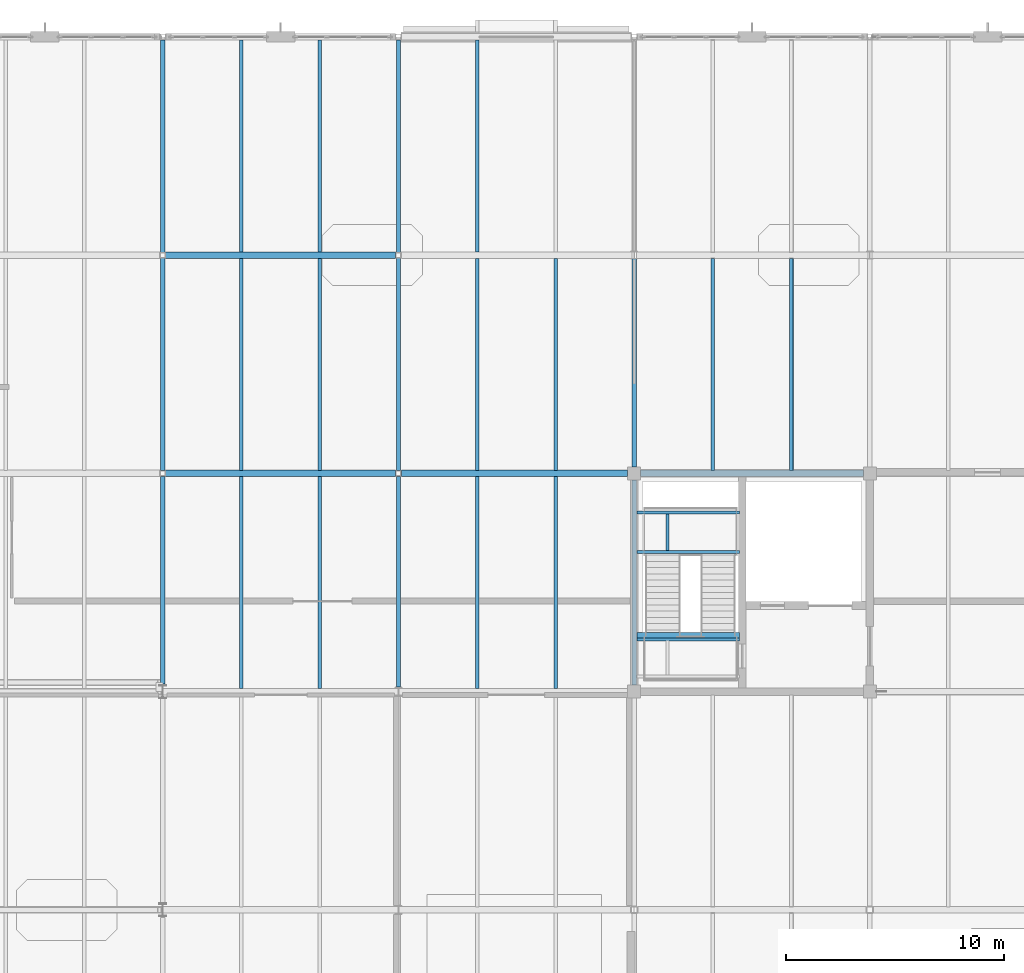
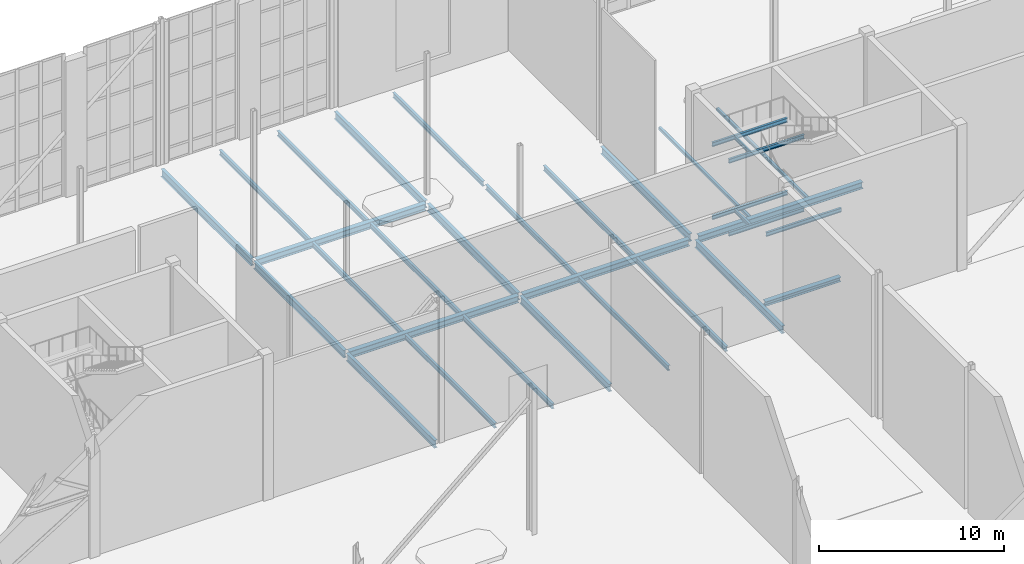
# One storey, part 49 of 100: 33 beams.
"""IFC4 building model written with IfcOpenShell, lengths in metres."""

from ifc_helpers import new_model, si_unit, direction, frame, origin, origin_2d, place, context, subcontext, project, spatial, hollow_rectangle, i_section, extrude, material, material_profile, profile_set, type_object, element, save


model = new_model("IFC4")

# Units and contexts
model_context = context("Model", 3, precision=1e-05, world=origin(), true_north=direction((0.0, 1.0)))
body_context = subcontext(model_context, "Body", "Model", "MODEL_VIEW")
ifc_project = project(units=[si_unit("LENGTHUNIT", "METRE"), si_unit("AREAUNIT", "SQUARE_METRE"), si_unit("VOLUMEUNIT", "CUBIC_METRE"), si_unit("PLANEANGLEUNIT", "RADIAN"), si_unit("MASSUNIT", "GRAM", prefix="KILO")], contexts=[model_context])

# Site, building, storey
site_placement = place(None, origin())
site = spatial("IfcSite", under=ifc_project, at=site_placement, CompositionType="ELEMENT")
building_placement = place(site_placement, origin())
building = spatial("IfcBuilding", under=site, at=building_placement, Name="Tasgan Crest Museum", CompositionType="ELEMENT")
storey_placement = place(building_placement, frame((0.0, 0.0, 14.39990234375)))
storey = spatial("IfcBuildingStorey", under=building, at=storey_placement, Name="L03", CompositionType="ELEMENT", Elevation=14.39990234375)

# Beams
ifc_material_1 = material(Name="Steel S355J2", Category="steel")
ifc_material_profile_1 = material_profile(ifc_material_1, i_section(OverallWidth=0.300048828125, OverallDepth=0.43994140625, WebThickness=0.011474609375, FlangeThickness=0.02099609375, FilletRadius=0.027099609375, at=origin_2d()), Name="HEA 450")
ifc_profile_set_1 = profile_set([ifc_material_profile_1], Name="Steel S355J2")
beam_type_1 = type_object("IfcBeamType", Name="BM-G-HEA450", PredefinedType="BEAM", material=ifc_profile_set_1)
beam_1_placement = place(storey_placement, frame((32.532470703125, 92.0, -0.4599609375), z_axis=(1.0, 0.0, 0.0), x_axis=(0.0, 1.0, 0.0)))
element("IfcBeam", 1, at=beam_1_placement, inside=storey, type_object=beam_type_1, Name="Girder L03 K 32.4-43.2", PredefinedType="BEAM", context=body_context, shape_type="SweptSolid", body=[
    extrude(i_section(OverallWidth=0.300048828125, OverallDepth=0.43994140625, WebThickness=0.011474609375, FlangeThickness=0.02099609375, FilletRadius=0.027099609375, at=origin_2d()), origin(), (0.0, 0.0, 1.0), 10.534912109375),
])
beam_2_placement = place(storey_placement, frame((43.33251953125, 92.0, -0.4599609375), z_axis=(1.0, 0.0, 0.0), x_axis=(0.0, 1.0, 0.0)))
element("IfcBeam", 2, at=beam_2_placement, inside=storey, type_object=beam_type_1, Name="Girder L03 K 43.2-54.0", PredefinedType="BEAM", context=body_context, shape_type="SweptSolid", body=[
    extrude(i_section(OverallWidth=0.300048828125, OverallDepth=0.43994140625, WebThickness=0.011474609375, FlangeThickness=0.02099609375, FilletRadius=0.027099609375, at=origin_2d()), origin(), (0.0, 0.0, 1.0), 10.37158203125),
])
beam_3_placement = place(storey_placement, frame((54.2958984375, 92.0, -0.4599609375), z_axis=(1.0, 0.0, 0.0), x_axis=(0.0, 1.0, 0.0)))
element("IfcBeam", 3, at=beam_3_placement, inside=storey, type_object=beam_type_1, Name="Girder L03 K 54.0-64.8", PredefinedType="BEAM", context=body_context, shape_type="SweptSolid", body=[
    extrude(i_section(OverallWidth=0.300048828125, OverallDepth=0.43994140625, WebThickness=0.011474609375, FlangeThickness=0.02099609375, FilletRadius=0.027099609375, at=origin_2d()), origin(), (0.0, 0.0, 1.0), 10.2080078125),
])
beam_4_placement = place(storey_placement, frame((32.532470703125, 102.0, -0.4599609375), z_axis=(1.0, 0.0, 0.0), x_axis=(0.0, 1.0, 0.0)))
element("IfcBeam", 4, at=beam_4_placement, inside=storey, type_object=beam_type_1, Name="Girder L03 L 32.4-43.2", PredefinedType="BEAM", context=body_context, shape_type="SweptSolid", body=[
    extrude(i_section(OverallWidth=0.300048828125, OverallDepth=0.43994140625, WebThickness=0.011474609375, FlangeThickness=0.02099609375, FilletRadius=0.027099609375, at=origin_2d()), origin(), (0.0, 0.0, 1.0), 10.534912109375),
])
ifc_material_2 = material(Name="Steel S355J2", Category="steel")
ifc_material_profile_2 = material_profile(ifc_material_2, i_section(OverallWidth=0.300048828125, OverallDepth=0.300048828125, WebThickness=0.010986328125, FlangeThickness=0.01904296875, FilletRadius=0.027099609375, at=origin_2d()), Name="HEB 300")
ifc_profile_set_2 = profile_set([ifc_material_profile_2], Name="Steel S355J2")
beam_type_2 = type_object("IfcBeamType", Name="BM-G-HEB300", PredefinedType="BEAM", material=ifc_profile_set_2)
beam_5_placement = place(storey_placement, frame((54.1298828125, 84.550048828125, -0.14990234375), z_axis=(1.0, 0.0, 0.0), x_axis=(0.0, 1.0, 0.0)))
element("IfcBeam", 5, at=beam_5_placement, inside=storey, type_object=beam_type_2, Name="Stair threshold trimmer beam ST-NC-L03", PredefinedType="BEAM", context=body_context, shape_type="SweptSolid", body=[
    extrude(i_section(OverallWidth=0.300048828125, OverallDepth=0.300048828125, WebThickness=0.010986328125, FlangeThickness=0.01904296875, FilletRadius=0.027099609375, at=origin_2d()), origin(), (0.0, 0.0, 1.0), 4.690185546875),
])
ifc_material_3 = material(Name="Steel S355J2", Category="steel")
ifc_material_profile_3 = material_profile(ifc_material_3, i_section(OverallWidth=0.199951171875, OverallDepth=0.5, WebThickness=0.01025390625, FlangeThickness=0.01611328125, FilletRadius=0.02099609375, at=origin_2d()), Name="IPE 500")
ifc_profile_set_3 = profile_set([ifc_material_profile_3], Name="Steel S355J2")
beam_type_3 = type_object("IfcBeamType", Name="BM-G-IPE500", PredefinedType="BEAM", material=ifc_profile_set_3)
beam_6_placement = place(storey_placement, frame((32.39990234375, 82.344970703125, -0.489990234375), z_axis=(0.0, 1.0, 0.0), x_axis=(-1.0, 0.0, 0.0)))
element("IfcBeam", 6, at=beam_6_placement, inside=storey, type_object=beam_type_3, Name="Beam L03 4 82.0-92.0", PredefinedType="BEAM", context=body_context, shape_type="SweptSolid", body=[
    extrude(i_section(OverallWidth=0.199951171875, OverallDepth=0.5, WebThickness=0.01025390625, FlangeThickness=0.01611328125, FilletRadius=0.02099609375, at=origin_2d()), origin(), (0.0, 0.0, 1.0), 9.5234375),
])
for number, where, z_axis, x_axis, name in (
    (7, (32.39990234375, 92.131591796875, -0.489990234375), (0.0, 1.0, 0.0), (-1.0, 0.0, 0.0), "Beam L03 4 92.0-102.0"),
    (8, (32.39990234375, 102.131591796875, -0.489990234375), (0.0, 1.0, 0.0), (-1.0, 0.0, 0.0), "Beam L03 4 102.0-112.0"),
):
    element("IfcBeam", number, at=place(storey_placement, frame(where, z_axis=z_axis, x_axis=x_axis)), inside=storey, type_object=beam_type_3, Name=name, PredefinedType="BEAM", context=body_context, shape_type="SweptSolid", body=[
        extrude(i_section(OverallWidth=0.199951171875, OverallDepth=0.5, WebThickness=0.01025390625, FlangeThickness=0.01611328125, FilletRadius=0.02099609375, at=origin_2d()), origin(), (0.0, 0.0, 1.0), 9.73681640625),
    ])
beam_7_placement = place(storey_placement, frame((43.199951171875, 82.219970703125, -0.489990234375), z_axis=(0.0, 1.0, 0.0), x_axis=(-1.0, 0.0, 0.0)))
element("IfcBeam", 9, at=beam_7_placement, inside=storey, type_object=beam_type_3, Name="Beam L03 5 82.0-92.0", PredefinedType="BEAM", context=body_context, shape_type="SweptSolid", body=[
    extrude(i_section(OverallWidth=0.199951171875, OverallDepth=0.5, WebThickness=0.01025390625, FlangeThickness=0.01611328125, FilletRadius=0.02099609375, at=origin_2d()), origin(), (0.0, 0.0, 1.0), 9.6484375),
])
for number, where, z_axis, x_axis, name in (
    (10, (43.199951171875, 92.131591796875, -0.489990234375), (0.0, 1.0, 0.0), (-1.0, 0.0, 0.0), "Beam L03 5 92.0-102.0"),
    (11, (43.199951171875, 102.131591796875, -0.489990234375), (0.0, 1.0, 0.0), (-1.0, 0.0, 0.0), "Beam L03 5 102.0-112.0"),
):
    element("IfcBeam", number, at=place(storey_placement, frame(where, z_axis=z_axis, x_axis=x_axis)), inside=storey, type_object=beam_type_3, Name=name, PredefinedType="BEAM", context=body_context, shape_type="SweptSolid", body=[
        extrude(i_section(OverallWidth=0.199951171875, OverallDepth=0.5, WebThickness=0.01025390625, FlangeThickness=0.01611328125, FilletRadius=0.02099609375, at=origin_2d()), origin(), (0.0, 0.0, 1.0), 9.73681640625),
    ])
beam_8_placement = place(storey_placement, frame((54.0, 82.294921875, -0.489990234375), z_axis=(0.0, 1.0, 0.0), x_axis=(-1.0, 0.0, 0.0)))
element("IfcBeam", 12, at=beam_8_placement, inside=storey, type_object=beam_type_3, Name="Beam L03 6 82.0-92.0", PredefinedType="BEAM", context=body_context, shape_type="SweptSolid", body=[
    extrude(i_section(OverallWidth=0.199951171875, OverallDepth=0.5, WebThickness=0.01025390625, FlangeThickness=0.01611328125, FilletRadius=0.02099609375, at=origin_2d()), origin(), (0.0, 0.0, 1.0), 9.41015625),
])
beam_9_placement = place(storey_placement, frame((54.0, 92.294921875, -0.489990234375), z_axis=(0.0, 1.0, 0.0), x_axis=(-1.0, 0.0, 0.0)))
element("IfcBeam", 13, at=beam_9_placement, inside=storey, type_object=beam_type_3, Name="Beam L03 6 92.0-102.0", PredefinedType="BEAM", context=body_context, shape_type="SweptSolid", body=[
    extrude(i_section(OverallWidth=0.199951171875, OverallDepth=0.5, WebThickness=0.01025390625, FlangeThickness=0.01611328125, FilletRadius=0.02099609375, at=origin_2d()), origin(), (0.0, 0.0, 1.0), 9.56005859375),
])
ifc_material_4 = material(Name="Steel S355J2", Category="steel")
ifc_material_profile_4 = material_profile(ifc_material_4, i_section(OverallWidth=0.159912109375, OverallDepth=0.330078125, WebThickness=0.007568359375, FlangeThickness=0.011474609375, FilletRadius=0.01806640625, at=origin_2d()), Name="IPE 330")
ifc_profile_set_4 = profile_set([ifc_material_profile_4], Name="Steel S355J2")
beam_type_4 = type_object("IfcBeamType", Name="BM-J-IPE330", PredefinedType="JOIST", material=ifc_profile_set_4)
for number, where, z_axis, x_axis, name in (
    (14, (36.0, 82.14501953125, -0.40478515625), (0.0, 1.0, 0.0), (-1.0, 0.0, 0.0), "Secondary joist L03 X=36.0 Y=82.0-92.0"),
    (15, (39.60009765625, 82.14501953125, -0.40478515625), (0.0, 1.0, 0.0), (-1.0, 0.0, 0.0), "Secondary joist L03 X=39.6 Y=82.0-92.0"),
    (16, (36.0, 92.14501953125, -0.40478515625), (0.0, 1.0, 0.0), (-1.0, 0.0, 0.0), "Secondary joist L03 X=36.0 Y=92.0-102.0"),
    (17, (39.60009765625, 92.14501953125, -0.40478515625), (0.0, 1.0, 0.0), (-1.0, 0.0, 0.0), "Secondary joist L03 X=39.6 Y=92.0-102.0"),
    (18, (36.0, 102.14501953125, -0.40478515625), (0.0, 1.0, 0.0), (-1.0, 0.0, 0.0), "Secondary joist L03 X=36.0 Y=102.0-112.0"),
    (19, (39.60009765625, 102.14501953125, -0.40478515625), (0.0, 1.0, 0.0), (-1.0, 0.0, 0.0), "Secondary joist L03 X=39.6 Y=102.0-112.0"),
    (20, (46.800048828125, 82.14501953125, -0.40478515625), (0.0, 1.0, 0.0), (-1.0, 0.0, 0.0), "Secondary joist L03 X=46.8 Y=82.0-92.0"),
    (21, (50.39990234375, 82.14501953125, -0.40478515625), (0.0, 1.0, 0.0), (-1.0, 0.0, 0.0), "Secondary joist L03 X=50.4 Y=82.0-92.0"),
    (22, (46.800048828125, 92.14501953125, -0.40478515625), (0.0, 1.0, 0.0), (-1.0, 0.0, 0.0), "Secondary joist L03 X=46.8 Y=92.0-102.0"),
    (23, (50.39990234375, 92.14501953125, -0.40478515625), (0.0, 1.0, 0.0), (-1.0, 0.0, 0.0), "Secondary joist L03 X=50.4 Y=92.0-102.0"),
    (24, (46.800048828125, 102.14501953125, -0.40478515625), (0.0, 1.0, 0.0), (-1.0, 0.0, 0.0), "Secondary joist L03 X=46.8 Y=102.0-112.0"),
):
    element("IfcBeam", number, at=place(storey_placement, frame(where, z_axis=z_axis, x_axis=x_axis)), inside=storey, type_object=beam_type_4, Name=name, PredefinedType="JOIST", context=body_context, shape_type="SweptSolid", body=[
        extrude(i_section(OverallWidth=0.159912109375, OverallDepth=0.330078125, WebThickness=0.007568359375, FlangeThickness=0.011474609375, FilletRadius=0.01806640625, at=origin_2d()), origin(), (0.0, 0.0, 1.0), 9.7099609375),
    ])
ifc_material_5 = material(Name="Steel S355J2", Category="steel")
ifc_material_profile_5 = material_profile(ifc_material_5, hollow_rectangle(XDim=0.179931640625, YDim=0.179931640625, WallThickness=0.010009765625, InnerFilletRadius=0.010009765625, OuterFilletRadius=0.02001953125, at=origin_2d()), Name="SHS 180x180x10")
ifc_profile_set_5 = profile_set([ifc_material_profile_5], Name="Steel S355J2")
beam_type_5 = type_object("IfcBeamType", Name="BM-J-SHS180", PredefinedType="JOIST", material=ifc_profile_set_5)
for number, where, z_axis, x_axis, name in (
    (25, (57.60009765625, 92.14501953125, -0.329833984375), (0.0, 1.0, 0.0), (-1.0, 0.0, 0.0), "Secondary joist L03 X=57.6 Y=92.0-102.0"),
    (26, (61.199951171875, 92.14501953125, -0.329833984375), (0.0, 1.0, 0.0), (-1.0, 0.0, 0.0), "Secondary joist L03 X=61.2 Y=92.0-102.0"),
):
    element("IfcBeam", number, at=place(storey_placement, frame(where, z_axis=z_axis, x_axis=x_axis)), inside=storey, type_object=beam_type_5, Name=name, PredefinedType="JOIST", context=body_context, shape_type="SweptSolid", body=[
        extrude(hollow_rectangle(XDim=0.179931640625, YDim=0.179931640625, WallThickness=0.010009765625, InnerFilletRadius=0.010009765625, OuterFilletRadius=0.02001953125, at=origin_2d()), origin(), (0.0, 0.0, 1.0), 9.7099609375),
    ])
ifc_material_6 = material(Name="Steel S355J2", Category="steel")
ifc_material_profile_6 = material_profile(ifc_material_6, i_section(OverallWidth=0.1201171875, OverallDepth=0.239990234375, WebThickness=0.006103515625, FlangeThickness=0.009765625, FilletRadius=0.014892578125, at=origin_2d()), Name="IPE 240")
ifc_profile_set_6 = profile_set([ifc_material_profile_6], Name="Steel S355J2")
beam_type_6 = type_object("IfcBeamType", Name="BM-LAND-IPE240", PredefinedType="BEAM", material=ifc_profile_set_6)
for number, where, z_axis, x_axis, name in (
    (27, (55.52490234375, 88.465087890625, 2.080078125), (0.0, 1.0, 0.0), (-1.0, 0.0, 0.0), "Stair half-landing crossbeam ST-NC-L03 T1"),
    (28, (55.52490234375, 88.465087890625, 6.880126953125), (0.0, 1.0, 0.0), (-1.0, 0.0, 0.0), "Stair half-landing crossbeam ST-NC-L03 T2"),
):
    element("IfcBeam", number, at=place(storey_placement, frame(where, z_axis=z_axis, x_axis=x_axis)), inside=storey, type_object=beam_type_6, Name=name, PredefinedType="BEAM", context=body_context, shape_type="SweptSolid", body=[
        extrude(i_section(OverallWidth=0.1201171875, OverallDepth=0.239990234375, WebThickness=0.006103515625, FlangeThickness=0.009765625, FilletRadius=0.014892578125, at=origin_2d()), origin(), (0.0, 0.0, 1.0), 1.679931640625),
    ])
ifc_material_7 = material(Name="Steel S355J2", Category="steel")
ifc_material_profile_7 = material_profile(ifc_material_7, i_section(OverallWidth=0.135009765625, OverallDepth=0.27001953125, WebThickness=0.006591796875, FlangeThickness=0.01025390625, FilletRadius=0.014892578125, at=origin_2d()), Name="IPE 270")
ifc_profile_set_7 = profile_set([ifc_material_profile_7], Name="Steel S355J2")
beam_type_7 = type_object("IfcBeamType", Name="BM-LAND-IPE270", PredefinedType="BEAM", material=ifc_profile_set_7)
for number, where, z_axis, x_axis, name in (
    (29, (54.1298828125, 88.405029296875, 2.065185546875), (1.0, 0.0, 0.0), (0.0, 1.0, 0.0), "Stair half-landing beam ST-NC-L03 T1F"),
    (30, (54.1298828125, 90.205078125, 2.065185546875), (1.0, 0.0, 0.0), (0.0, 1.0, 0.0), "Stair half-landing beam ST-NC-L03 T1B"),
    (31, (54.1298828125, 84.39990234375, 4.465087890625), (1.0, 0.0, 0.0), (0.0, 1.0, 0.0), "Stair intermediate landing beam ST-NC-L03 B"),
    (32, (54.1298828125, 88.405029296875, 6.864990234375), (1.0, 0.0, 0.0), (0.0, 1.0, 0.0), "Stair half-landing beam ST-NC-L03 T2F"),
    (33, (54.1298828125, 90.205078125, 6.864990234375), (1.0, 0.0, 0.0), (0.0, 1.0, 0.0), "Stair half-landing beam ST-NC-L03 T2B"),
):
    element("IfcBeam", number, at=place(storey_placement, frame(where, z_axis=z_axis, x_axis=x_axis)), inside=storey, type_object=beam_type_7, Name=name, PredefinedType="BEAM", context=body_context, shape_type="SweptSolid", body=[
        extrude(i_section(OverallWidth=0.135009765625, OverallDepth=0.27001953125, WebThickness=0.006591796875, FlangeThickness=0.01025390625, FilletRadius=0.014892578125, at=origin_2d()), origin(), (0.0, 0.0, 1.0), 4.690185546875),
    ])

save(model, "model.ifc")
